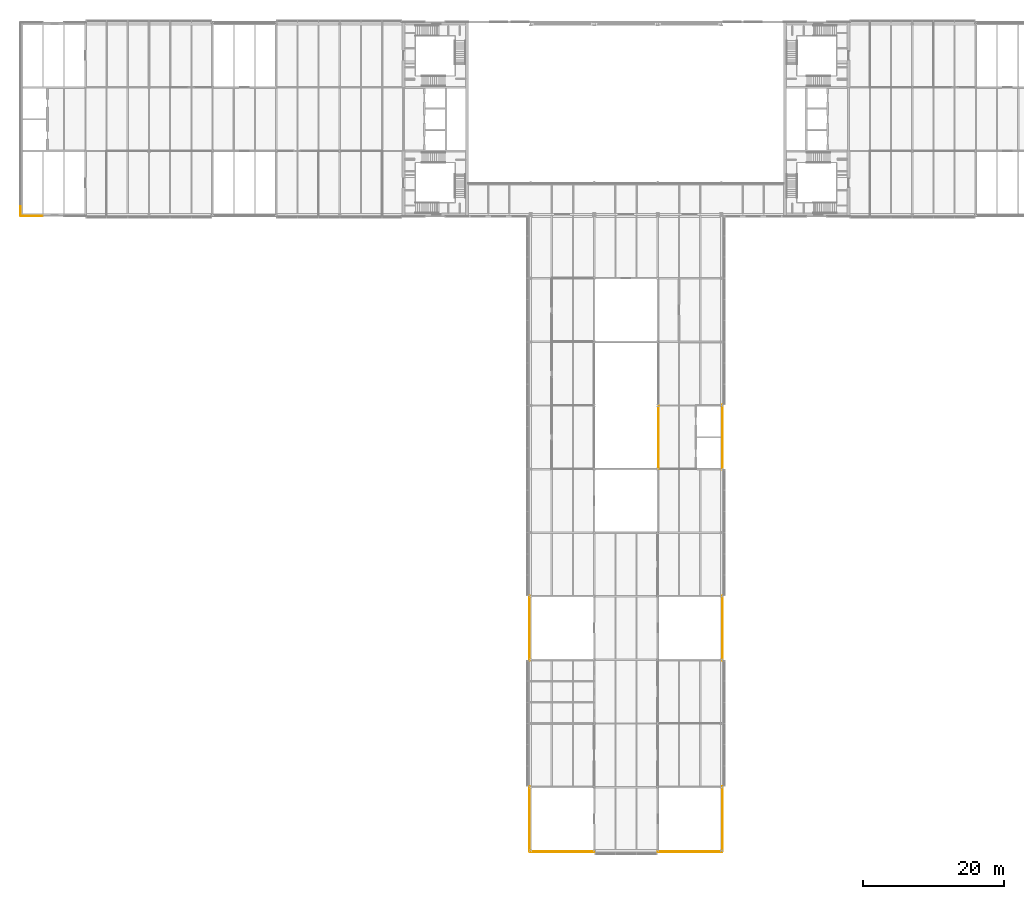
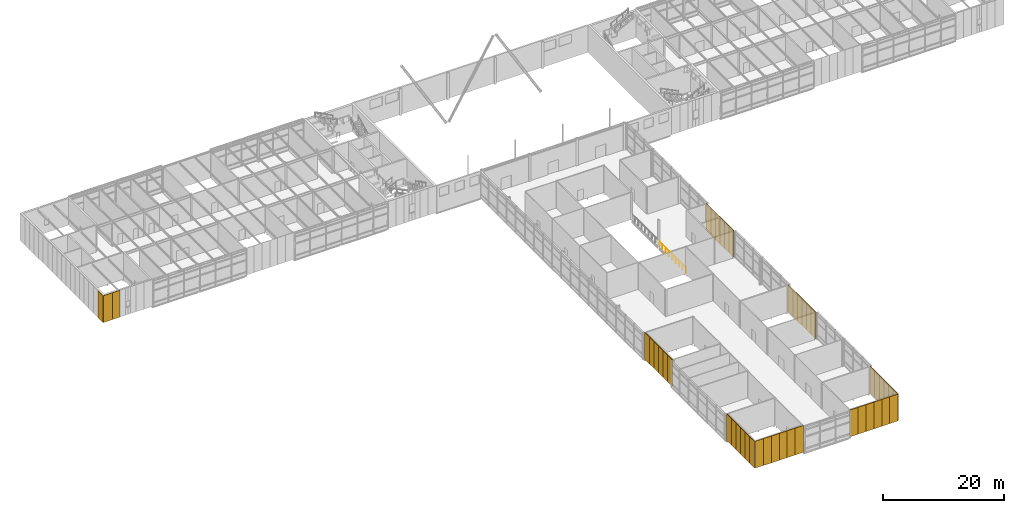
# One storey, part 42 of 46: 45 coverings, 1 railing.
"""IFC4 building model written with IfcOpenShell, lengths in metres."""

from ifc_helpers import new_model, si_unit, direction, frame, origin, origin_2d, place, context, subcontext, project, spatial, rectangle, circle, extrude, material, layer, layer_set, type_object, element, save


model = new_model("IFC4")

# Units and contexts
model_context = context("Model", 3, precision=1e-05, world=origin(), true_north=direction((0.0, 1.0)))
body_context = subcontext(model_context, "Body", "Model", "MODEL_VIEW")
ifc_project = project(units=[si_unit("LENGTHUNIT", "METRE"), si_unit("AREAUNIT", "SQUARE_METRE"), si_unit("VOLUMEUNIT", "CUBIC_METRE"), si_unit("PLANEANGLEUNIT", "RADIAN"), si_unit("MASSUNIT", "GRAM", prefix="KILO")], contexts=[model_context])

# Site, building, storey
site_placement = place(None, origin())
site = spatial("IfcSite", under=ifc_project, at=site_placement, CompositionType="ELEMENT")
building_placement = place(site_placement, origin())
building = spatial("IfcBuilding", under=site, at=building_placement, Name="Azimuth Sports and Learning Centre", CompositionType="ELEMENT")
storey_placement = place(building_placement, frame((0.0, 0.0, 21.60009765625)))
storey = spatial("IfcBuildingStorey", under=building, at=storey_placement, Name="L04", CompositionType="ELEMENT", Elevation=21.60009765625)

# Coverings
ifc_material_1 = material(Name="Cladding panel")
ifc_layer = layer(ifc_material_1, 0.10009765625)
ifc_layer_set = layer_set([ifc_layer], Name="Cladding panel")
covering_type = type_object("IfcCoveringType", Name="Cladding panel 100", PredefinedType="CLADDING", material=ifc_layer_set)
covering_1_placement = place(storey_placement, frame((0.675048828125, 89.800048828125, 0.0), z_axis=(0.0, 0.0, 1.0), x_axis=(1.0, 0.0, 0.0)))
element("IfcCovering", 1, at=covering_1_placement, inside=storey, type_object=covering_type, Name="Cladding panel S-END W L04 1", PredefinedType="CLADDING", context=body_context, shape_type="SweptSolid", body=[
    extrude(rectangle(XDim=1.64990234375, YDim=0.10009765625, at=origin_2d()), origin(), (0.0, 0.0, 1.0), 5.39990234375),
])
covering_2_placement = place(storey_placement, frame((2.25, 89.800048828125, 0.0), z_axis=(0.0, 0.0, 1.0), x_axis=(1.0, 0.0, 0.0)))
element("IfcCovering", 2, at=covering_2_placement, inside=storey, type_object=covering_type, Name="Cladding panel S-END W L04 2", PredefinedType="CLADDING", context=body_context, shape_type="SweptSolid", body=[
    extrude(rectangle(XDim=1.5, YDim=0.10009765625, at=origin_2d()), origin(), (0.0, 0.0, 1.0), 5.39990234375),
])
covering_3_placement = place(storey_placement, frame((71.85009765625, 35.300048828125, 0.0), z_axis=(0.0, 0.0, 1.0), x_axis=(0.0, -1.0, 0.0)))
element("IfcCovering", 3, at=covering_3_placement, inside=storey, type_object=covering_type, Name="Cladding panel W-ST3 L04 1", PredefinedType="CLADDING", context=body_context, shape_type="SweptSolid", body=[
    extrude(rectangle(XDim=1.60009765625, YDim=0.10009765625, at=origin_2d()), origin(), (0.0, 0.0, 1.0), 5.39990234375),
])
for number, where, z_axis, x_axis, name in (
    (4, (71.85009765625, 33.75, 0.0), (0.0, 0.0, 1.0), (0.0, -1.0, 0.0), "Cladding panel W-ST3 L04 2"),
    (5, (71.85009765625, 32.25, 0.0), (0.0, 0.0, 1.0), (0.0, -1.0, 0.0), "Cladding panel W-ST3 L04 3"),
    (6, (71.85009765625, 30.75, 0.0), (0.0, 0.0, 1.0), (0.0, -1.0, 0.0), "Cladding panel W-ST3 L04 4"),
    (7, (71.85009765625, 29.25, 0.0), (0.0, 0.0, 1.0), (0.0, -1.0, 0.0), "Cladding panel W-ST3 L04 5"),
):
    element("IfcCovering", number, at=place(storey_placement, frame(where, z_axis=z_axis, x_axis=x_axis)), inside=storey, type_object=covering_type, Name=name, PredefinedType="CLADDING", context=body_context, shape_type="SweptSolid", body=[
        extrude(rectangle(XDim=1.5, YDim=0.10009765625, at=origin_2d()), origin(), (0.0, 0.0, 1.0), 5.39990234375),
    ])
for number, where, z_axis, x_axis, name in (
    (8, (71.85009765625, 27.699951171875, 0.0), (0.0, 0.0, 1.0), (0.0, -1.0, 0.0), "Cladding panel W-ST3 L04 6"),
    (9, (71.85009765625, 8.300048828125, 0.0), (0.0, 0.0, 1.0), (0.0, -1.0, 0.0), "Cladding panel W-ST1 L04 1"),
):
    element("IfcCovering", number, at=place(storey_placement, frame(where, z_axis=z_axis, x_axis=x_axis)), inside=storey, type_object=covering_type, Name=name, PredefinedType="CLADDING", context=body_context, shape_type="SweptSolid", body=[
        extrude(rectangle(XDim=1.60009765625, YDim=0.10009765625, at=origin_2d()), origin(), (0.0, 0.0, 1.0), 5.39990234375),
    ])
for number, where, z_axis, x_axis, name in (
    (10, (71.85009765625, 6.75, 0.0), (0.0, 0.0, 1.0), (0.0, -1.0, 0.0), "Cladding panel W-ST1 L04 2"),
    (11, (71.85009765625, 5.25, 0.0), (0.0, 0.0, 1.0), (0.0, -1.0, 0.0), "Cladding panel W-ST1 L04 3"),
    (12, (71.85009765625, 3.75, 0.0), (0.0, 0.0, 1.0), (0.0, -1.0, 0.0), "Cladding panel W-ST1 L04 4"),
    (13, (71.85009765625, 2.25, 0.0), (0.0, 0.0, 1.0), (0.0, -1.0, 0.0), "Cladding panel W-ST1 L04 5"),
):
    element("IfcCovering", number, at=place(storey_placement, frame(where, z_axis=z_axis, x_axis=x_axis)), inside=storey, type_object=covering_type, Name=name, PredefinedType="CLADDING", context=body_context, shape_type="SweptSolid", body=[
        extrude(rectangle(XDim=1.5, YDim=0.10009765625, at=origin_2d()), origin(), (0.0, 0.0, 1.0), 5.39990234375),
    ])
for number, where, z_axis, x_axis, name in (
    (14, (71.85009765625, 0.699951171875, 0.0), (0.0, 0.0, 1.0), (0.0, -1.0, 0.0), "Cladding panel W-ST1 L04 6"),
    (15, (72.699951171875, -0.14990234375, 0.0), (0.0, 0.0, 1.0), (1.0, 0.0, 0.0), "Cladding panel S-ST1 L04 1"),
):
    element("IfcCovering", number, at=place(storey_placement, frame(where, z_axis=z_axis, x_axis=x_axis)), inside=storey, type_object=covering_type, Name=name, PredefinedType="CLADDING", context=body_context, shape_type="SweptSolid", body=[
        extrude(rectangle(XDim=1.60009765625, YDim=0.10009765625, at=origin_2d()), origin(), (0.0, 0.0, 1.0), 5.39990234375),
    ])
for number, where, z_axis, x_axis, name in (
    (16, (74.25, -0.14990234375, 0.0), (0.0, 0.0, 1.0), (1.0, 0.0, 0.0), "Cladding panel S-ST1 L04 2"),
    (17, (75.75, -0.14990234375, 0.0), (0.0, 0.0, 1.0), (1.0, 0.0, 0.0), "Cladding panel S-ST1 L04 3"),
    (18, (77.25, -0.14990234375, 0.0), (0.0, 0.0, 1.0), (1.0, 0.0, 0.0), "Cladding panel S-ST1 L04 4"),
    (19, (78.75, -0.14990234375, 0.0), (0.0, 0.0, 1.0), (1.0, 0.0, 0.0), "Cladding panel S-ST1 L04 5"),
):
    element("IfcCovering", number, at=place(storey_placement, frame(where, z_axis=z_axis, x_axis=x_axis)), inside=storey, type_object=covering_type, Name=name, PredefinedType="CLADDING", context=body_context, shape_type="SweptSolid", body=[
        extrude(rectangle(XDim=1.5, YDim=0.10009765625, at=origin_2d()), origin(), (0.0, 0.0, 1.0), 5.39990234375),
    ])
for number, where, z_axis, x_axis, name in (
    (20, (80.300048828125, -0.14990234375, 0.0), (0.0, 0.0, 1.0), (1.0, 0.0, 0.0), "Cladding panel S-ST1 L04 6"),
    (21, (90.699951171875, -0.14990234375, 0.0), (0.0, 0.0, 1.0), (1.0, 0.0, 0.0), "Cladding panel S-ST2 L04 1"),
):
    element("IfcCovering", number, at=place(storey_placement, frame(where, z_axis=z_axis, x_axis=x_axis)), inside=storey, type_object=covering_type, Name=name, PredefinedType="CLADDING", context=body_context, shape_type="SweptSolid", body=[
        extrude(rectangle(XDim=1.60009765625, YDim=0.10009765625, at=origin_2d()), origin(), (0.0, 0.0, 1.0), 5.39990234375),
    ])
for number, where, z_axis, x_axis, name in (
    (22, (92.25, -0.14990234375, 0.0), (0.0, 0.0, 1.0), (1.0, 0.0, 0.0), "Cladding panel S-ST2 L04 2"),
    (23, (93.75, -0.14990234375, 0.0), (0.0, 0.0, 1.0), (1.0, 0.0, 0.0), "Cladding panel S-ST2 L04 3"),
    (24, (95.25, -0.14990234375, 0.0), (0.0, 0.0, 1.0), (1.0, 0.0, 0.0), "Cladding panel S-ST2 L04 4"),
    (25, (96.75, -0.14990234375, 0.0), (0.0, 0.0, 1.0), (1.0, 0.0, 0.0), "Cladding panel S-ST2 L04 5"),
):
    element("IfcCovering", number, at=place(storey_placement, frame(where, z_axis=z_axis, x_axis=x_axis)), inside=storey, type_object=covering_type, Name=name, PredefinedType="CLADDING", context=body_context, shape_type="SweptSolid", body=[
        extrude(rectangle(XDim=1.5, YDim=0.10009765625, at=origin_2d()), origin(), (0.0, 0.0, 1.0), 5.39990234375),
    ])
for number, where, z_axis, x_axis, name in (
    (26, (98.300048828125, -0.14990234375, 0.0), (0.0, 0.0, 1.0), (1.0, 0.0, 0.0), "Cladding panel S-ST2 L04 6"),
    (27, (99.14990234375, 0.699951171875, 0.0), (0.0, 0.0, 1.0), (0.0, 1.0, 0.0), "Cladding panel E-ST2 L04 1"),
):
    element("IfcCovering", number, at=place(storey_placement, frame(where, z_axis=z_axis, x_axis=x_axis)), inside=storey, type_object=covering_type, Name=name, PredefinedType="CLADDING", context=body_context, shape_type="SweptSolid", body=[
        extrude(rectangle(XDim=1.60009765625, YDim=0.10009765625, at=origin_2d()), origin(), (0.0, 0.0, 1.0), 5.39990234375),
    ])
for number, where, z_axis, x_axis, name in (
    (28, (99.14990234375, 2.25, 0.0), (0.0, 0.0, 1.0), (0.0, 1.0, 0.0), "Cladding panel E-ST2 L04 2"),
    (29, (99.14990234375, 3.75, 0.0), (0.0, 0.0, 1.0), (0.0, 1.0, 0.0), "Cladding panel E-ST2 L04 3"),
    (30, (99.14990234375, 5.25, 0.0), (0.0, 0.0, 1.0), (0.0, 1.0, 0.0), "Cladding panel E-ST2 L04 4"),
    (31, (99.14990234375, 6.75, 0.0), (0.0, 0.0, 1.0), (0.0, 1.0, 0.0), "Cladding panel E-ST2 L04 5"),
):
    element("IfcCovering", number, at=place(storey_placement, frame(where, z_axis=z_axis, x_axis=x_axis)), inside=storey, type_object=covering_type, Name=name, PredefinedType="CLADDING", context=body_context, shape_type="SweptSolid", body=[
        extrude(rectangle(XDim=1.5, YDim=0.10009765625, at=origin_2d()), origin(), (0.0, 0.0, 1.0), 5.39990234375),
    ])
for number, where, z_axis, x_axis, name in (
    (32, (99.14990234375, 8.300048828125, 0.0), (0.0, 0.0, 1.0), (0.0, 1.0, 0.0), "Cladding panel E-ST2 L04 6"),
    (33, (99.14990234375, 27.699951171875, 0.0), (0.0, 0.0, 1.0), (0.0, 1.0, 0.0), "Cladding panel E-ST4 L04 1"),
):
    element("IfcCovering", number, at=place(storey_placement, frame(where, z_axis=z_axis, x_axis=x_axis)), inside=storey, type_object=covering_type, Name=name, PredefinedType="CLADDING", context=body_context, shape_type="SweptSolid", body=[
        extrude(rectangle(XDim=1.60009765625, YDim=0.10009765625, at=origin_2d()), origin(), (0.0, 0.0, 1.0), 5.39990234375),
    ])
for number, where, z_axis, x_axis, name in (
    (34, (99.14990234375, 29.25, 0.0), (0.0, 0.0, 1.0), (0.0, 1.0, 0.0), "Cladding panel E-ST4 L04 2"),
    (35, (99.14990234375, 30.75, 0.0), (0.0, 0.0, 1.0), (0.0, 1.0, 0.0), "Cladding panel E-ST4 L04 3"),
    (36, (99.14990234375, 32.25, 0.0), (0.0, 0.0, 1.0), (0.0, 1.0, 0.0), "Cladding panel E-ST4 L04 4"),
    (37, (99.14990234375, 33.75, 0.0), (0.0, 0.0, 1.0), (0.0, 1.0, 0.0), "Cladding panel E-ST4 L04 5"),
):
    element("IfcCovering", number, at=place(storey_placement, frame(where, z_axis=z_axis, x_axis=x_axis)), inside=storey, type_object=covering_type, Name=name, PredefinedType="CLADDING", context=body_context, shape_type="SweptSolid", body=[
        extrude(rectangle(XDim=1.5, YDim=0.10009765625, at=origin_2d()), origin(), (0.0, 0.0, 1.0), 5.39990234375),
    ])
for number, where, z_axis, x_axis, name in (
    (38, (99.14990234375, 35.300048828125, 0.0), (0.0, 0.0, 1.0), (0.0, 1.0, 0.0), "Cladding panel E-ST4 L04 6"),
    (39, (99.14990234375, 54.699951171875, 0.0), (0.0, 0.0, 1.0), (0.0, 1.0, 0.0), "Cladding panel E-STL L04 1"),
):
    element("IfcCovering", number, at=place(storey_placement, frame(where, z_axis=z_axis, x_axis=x_axis)), inside=storey, type_object=covering_type, Name=name, PredefinedType="CLADDING", context=body_context, shape_type="SweptSolid", body=[
        extrude(rectangle(XDim=1.60009765625, YDim=0.10009765625, at=origin_2d()), origin(), (0.0, 0.0, 1.0), 5.39990234375),
    ])
for number, where, z_axis, x_axis, name in (
    (40, (99.14990234375, 56.25, 0.0), (0.0, 0.0, 1.0), (0.0, 1.0, 0.0), "Cladding panel E-STL L04 2"),
    (41, (99.14990234375, 57.75, 0.0), (0.0, 0.0, 1.0), (0.0, 1.0, 0.0), "Cladding panel E-STL L04 3"),
    (42, (99.14990234375, 59.25, 0.0), (0.0, 0.0, 1.0), (0.0, 1.0, 0.0), "Cladding panel E-STL L04 4"),
    (43, (99.14990234375, 60.75, 0.0), (0.0, 0.0, 1.0), (0.0, 1.0, 0.0), "Cladding panel E-STL L04 5"),
):
    element("IfcCovering", number, at=place(storey_placement, frame(where, z_axis=z_axis, x_axis=x_axis)), inside=storey, type_object=covering_type, Name=name, PredefinedType="CLADDING", context=body_context, shape_type="SweptSolid", body=[
        extrude(rectangle(XDim=1.5, YDim=0.10009765625, at=origin_2d()), origin(), (0.0, 0.0, 1.0), 5.39990234375),
    ])
covering_4_placement = place(storey_placement, frame((99.14990234375, 62.300048828125, 0.0), z_axis=(0.0, 0.0, 1.0), x_axis=(0.0, 1.0, 0.0)))
element("IfcCovering", 44, at=covering_4_placement, inside=storey, type_object=covering_type, Name="Cladding panel E-STL L04 6", PredefinedType="CLADDING", context=body_context, shape_type="SweptSolid", body=[
    extrude(rectangle(XDim=1.60009765625, YDim=0.10009765625, at=origin_2d()), origin(), (0.0, 0.0, 1.0), 5.39990234375),
])
covering_5_placement = place(storey_placement, frame((-0.199951171875, 90.675048828125, 0.0), z_axis=(0.0, 0.0, 1.0), x_axis=(0.0, -1.0, 0.0)))
element("IfcCovering", 45, at=covering_5_placement, inside=storey, type_object=covering_type, Name="Cladding panel W-END W L04 18", PredefinedType="CLADDING", context=body_context, shape_type="SweptSolid", body=[
    extrude(rectangle(XDim=1.64990234375, YDim=0.10009765625, at=origin_2d()), origin(), (0.0, 0.0, 1.0), 5.39990234375),
])

# Railing
ifc_material_2 = material(Name="Steel balustrade", Category="steel")
railing_type = type_object("IfcRailingType", Name="Guard 1100", PredefinedType="GUARDRAIL", material=ifc_material_2)
railing_placement = place(storey_placement, frame((90.070068359375, 54.0, 0.0)))
element("IfcRailing", 46, at=railing_placement, inside=storey, type_object=railing_type, Name="Atrium guard", PredefinedType="GUARDRAIL", context=body_context, shape_type="SweptSolid", body=[
    extrude(circle(Radius=0.02392578125, at=origin_2d()), frame((0.0, 0.0, 1.076171875), z_axis=(0.0, 1.0, 0.0), x_axis=(-1.0, 0.0, 0.0)), (0.0, 0.0, 1.0), 9.0),
    extrude(circle(Radius=0.02099609375, at=origin_2d()), origin(), (0.0, 0.0, 1.0), 1.052001953125),
    extrude(circle(Radius=0.02099609375, at=origin_2d()), frame((0.0, 1.125, 0.0)), (0.0, 0.0, 1.0), 1.052001953125),
    extrude(circle(Radius=0.02099609375, at=origin_2d()), frame((0.0, 2.25, 0.0)), (0.0, 0.0, 1.0), 1.052001953125),
    extrude(circle(Radius=0.02099609375, at=origin_2d()), frame((0.0, 3.375, 0.0)), (0.0, 0.0, 1.0), 1.052001953125),
    extrude(circle(Radius=0.02099609375, at=origin_2d()), frame((0.0, 4.5, 0.0)), (0.0, 0.0, 1.0), 1.052001953125),
    extrude(circle(Radius=0.02099609375, at=origin_2d()), frame((0.0, 5.625, 0.0)), (0.0, 0.0, 1.0), 1.052001953125),
    extrude(circle(Radius=0.02099609375, at=origin_2d()), frame((0.0, 6.75, 0.0)), (0.0, 0.0, 1.0), 1.052001953125),
    extrude(circle(Radius=0.02099609375, at=origin_2d()), frame((0.0, 7.875, 0.0)), (0.0, 0.0, 1.0), 1.052001953125),
    extrude(circle(Radius=0.02099609375, at=origin_2d()), frame((0.0, 9.0, 0.0)), (0.0, 0.0, 1.0), 1.052001953125),
])

save(model, "model.ifc")
